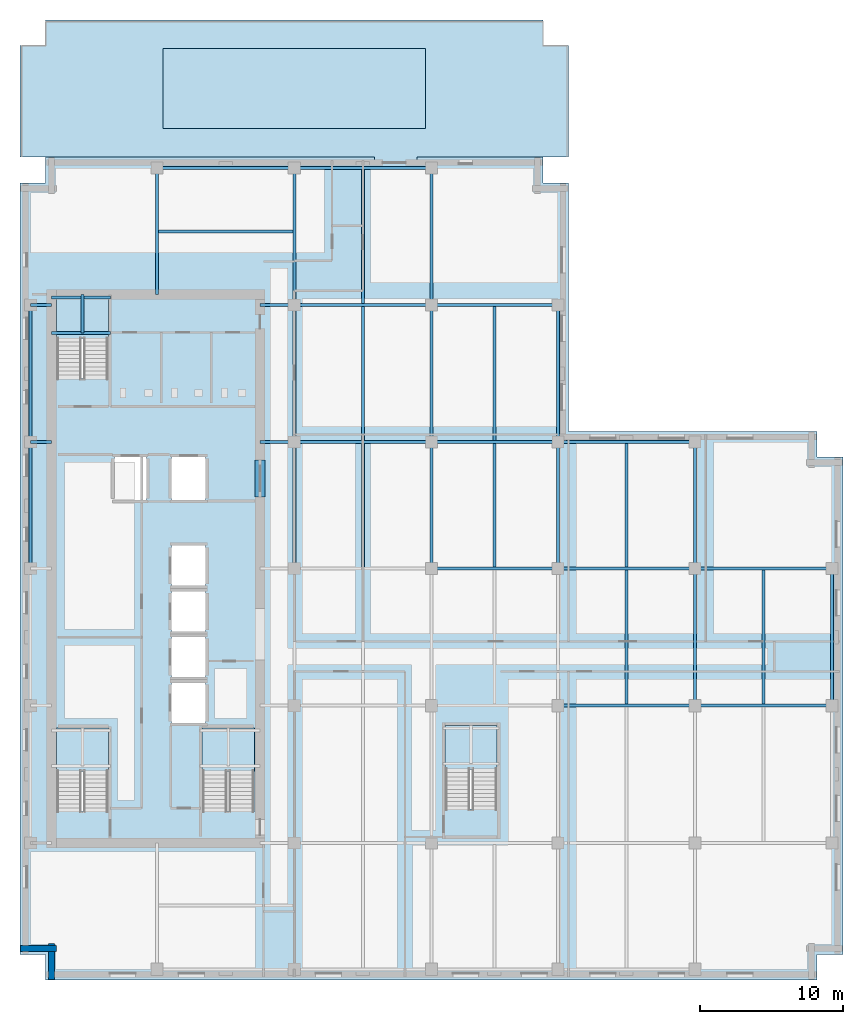
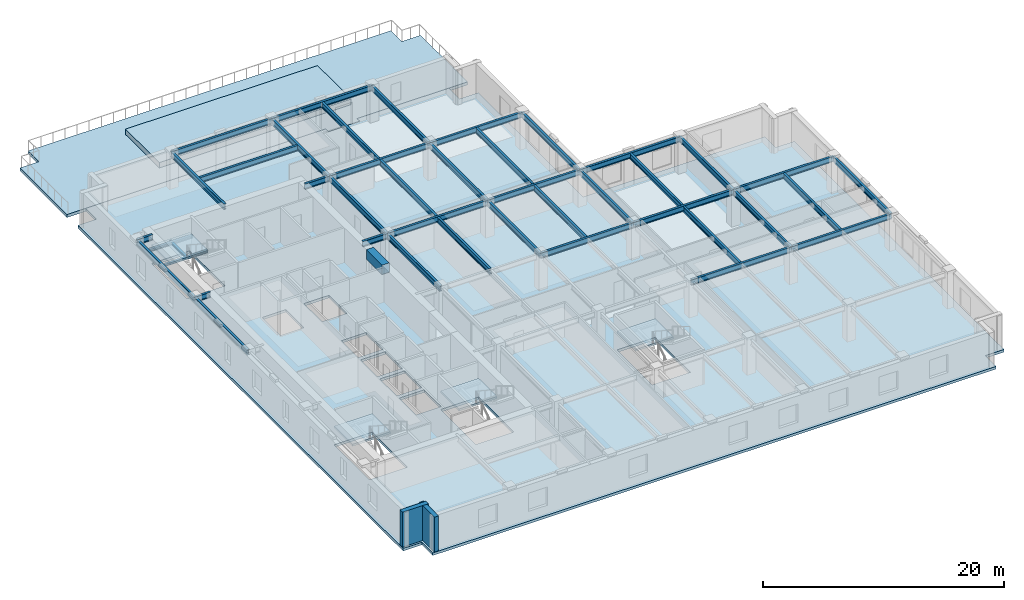
# One storey, part 2 of 12: 43 beams, 7 slabs, 2 walls, 4 elements without a shape of their own.
"""IFC4 building model written with IfcOpenShell, lengths in metres."""

from ifc_helpers import new_model, si_unit, direction, frame, frame_2d, origin, origin_2d, place, context, subcontext, project, spatial, polyline, rectangle, i_section, outline, extrude, material, layer, layer_set, material_profile, profile_set, type_object, element, aggregate, save


model = new_model("IFC4")

# Units and contexts
model_context = context("Model", 3, precision=1e-05, world=origin(), true_north=direction((0.0, 1.0)))
body_context = subcontext(model_context, "Body", "Model", "MODEL_VIEW")
ifc_project = project(units=[si_unit("LENGTHUNIT", "METRE"), si_unit("AREAUNIT", "SQUARE_METRE"), si_unit("VOLUMEUNIT", "CUBIC_METRE"), si_unit("PLANEANGLEUNIT", "RADIAN"), si_unit("MASSUNIT", "GRAM", prefix="KILO")], contexts=[model_context])

# Site, building, storey
site_placement = place(None, origin())
site = spatial("IfcSite", under=ifc_project, at=site_placement, CompositionType="ELEMENT")
building_placement = place(site_placement, origin())
building = spatial("IfcBuilding", under=site, at=building_placement, Name="Norrvale University Quadrangle", CompositionType="ELEMENT")
storey_placement = place(building_placement, frame((0.0, 0.0, 199.0)))
storey = spatial("IfcBuildingStorey", under=building, at=storey_placement, Name="L50", CompositionType="ELEMENT", Elevation=199.0)

# Beams
ifc_material_1 = material(Name="Concrete C80/95", Category="concrete")
ifc_material_profile_1 = material_profile(ifc_material_1, rectangle(XDim=0.699951171875, YDim=0.949951171875, at=origin_2d()), Name="Concrete C80/95")
ifc_profile_set_1 = profile_set([ifc_material_profile_1], Name="Concrete C80/95")
beam_type_1 = type_object("IfcBeamType", Name="Beam Core Link 700x950", PredefinedType="LINTEL", material=ifc_profile_set_1)
beam_1_placement = place(storey_placement, frame((16.800048828125, 33.800048828125, 3.06494140625), z_axis=(0.0, 1.0, 0.0), x_axis=(-1.0, 0.0, 0.0)))
element("IfcBeam", 1, at=beam_1_placement, inside=storey, type_object=beam_type_1, Name="Core Coupling Lintel Beam L50-2", PredefinedType="LINTEL", context=body_context, shape_type="SweptSolid", body=[
    extrude(rectangle(XDim=0.699951171875, YDim=0.949951171875, at=origin_2d()), origin(), (0.0, 0.0, 1.0), 2.599853515625),
])
ifc_material_2 = material(Name="Steel 350W", Category="steel")
ifc_material_profile_2 = material_profile(ifc_material_2, i_section(OverallWidth=0.2119140625, OverallDepth=0.5439453125, WebThickness=0.01318359375, FlangeThickness=0.021240234375, FilletRadius=0.013916015625, at=origin_2d()), Name="Steel 350W")
ifc_profile_set_2 = profile_set([ifc_material_profile_2], Name="Steel 350W")
beam_type_2 = type_object("IfcBeamType", Name="Beam Floor W530x123", PredefinedType="BEAM", material=ifc_profile_set_2)
for number, where, z_axis, x_axis, name in (
    (2, (37.64990234375, 19.199951171875, 3.26806640625), (1.0, 0.0, 0.0), (0.0, 1.0, 0.0), "Beam Floor W530x123 BM-L50-GX011"),
    (3, (47.25, 19.199951171875, 3.26806640625), (1.0, 0.0, 0.0), (0.0, 1.0, 0.0), "Beam Floor W530x123 BM-L50-GX012"),
):
    element("IfcBeam", number, at=place(storey_placement, frame(where, z_axis=z_axis, x_axis=x_axis)), inside=storey, type_object=beam_type_2, Name=name, PredefinedType="BEAM", context=body_context, shape_type="SweptSolid", body=[
        extrude(i_section(OverallWidth=0.2119140625, OverallDepth=0.5439453125, WebThickness=0.01318359375, FlangeThickness=0.021240234375, FilletRadius=0.013916015625, at=origin_2d()), origin(), (0.0, 0.0, 1.0), 9.60009765625),
    ])
beam_2_placement = place(storey_placement, frame((28.800048828125, 28.800048828125, 3.26806640625), z_axis=(1.0, 0.0, 0.0), x_axis=(0.0, 1.0, 0.0)))
element("IfcBeam", 4, at=beam_2_placement, inside=storey, type_object=beam_type_2, Name="Beam Floor W530x123 BM-L50-GX014", PredefinedType="BEAM", context=body_context, shape_type="SweptSolid", body=[
    extrude(i_section(OverallWidth=0.2119140625, OverallDepth=0.5439453125, WebThickness=0.01318359375, FlangeThickness=0.021240234375, FilletRadius=0.013916015625, at=origin_2d()), origin(), (0.0, 0.0, 1.0), 8.849853515625),
])
for number, where, z_axis, x_axis, name in (
    (5, (37.64990234375, 28.800048828125, 3.26806640625), (1.0, 0.0, 0.0), (0.0, 1.0, 0.0), "Beam Floor W530x123 BM-L50-GX015"),
    (6, (47.25, 28.800048828125, 3.26806640625), (1.0, 0.0, 0.0), (0.0, 1.0, 0.0), "Beam Floor W530x123 BM-L50-GX016"),
    (7, (19.199951171875, 37.64990234375, 3.26806640625), (1.0, 0.0, 0.0), (0.0, 1.0, 0.0), "Beam Floor W530x123 BM-L50-GX017"),
):
    element("IfcBeam", number, at=place(storey_placement, frame(where, z_axis=z_axis, x_axis=x_axis)), inside=storey, type_object=beam_type_2, Name=name, PredefinedType="BEAM", context=body_context, shape_type="SweptSolid", body=[
        extrude(i_section(OverallWidth=0.2119140625, OverallDepth=0.5439453125, WebThickness=0.01318359375, FlangeThickness=0.021240234375, FilletRadius=0.013916015625, at=origin_2d()), origin(), (0.0, 0.0, 1.0), 9.60009765625),
    ])
beam_3_placement = place(storey_placement, frame((28.800048828125, 37.64990234375, 3.26806640625), z_axis=(1.0, 0.0, 0.0), x_axis=(0.0, 1.0, 0.0)))
element("IfcBeam", 8, at=beam_3_placement, inside=storey, type_object=beam_type_2, Name="Beam Floor W530x123 BM-L50-GX018", PredefinedType="BEAM", context=body_context, shape_type="SweptSolid", body=[
    extrude(i_section(OverallWidth=0.2119140625, OverallDepth=0.5439453125, WebThickness=0.01318359375, FlangeThickness=0.021240234375, FilletRadius=0.013916015625, at=origin_2d()), origin(), (0.0, 0.0, 1.0), 8.849853515625),
])
for number, where, z_axis, x_axis, name in (
    (9, (37.64990234375, 37.64990234375, 3.26806640625), (1.0, 0.0, 0.0), (0.0, 1.0, 0.0), "Beam Floor W530x123 BM-L50-GX019"),
    (10, (19.199951171875, 47.25, 3.26806640625), (1.0, 0.0, 0.0), (0.0, 1.0, 0.0), "Beam Floor W530x123 BM-L50-GX020"),
):
    element("IfcBeam", number, at=place(storey_placement, frame(where, z_axis=z_axis, x_axis=x_axis)), inside=storey, type_object=beam_type_2, Name=name, PredefinedType="BEAM", context=body_context, shape_type="SweptSolid", body=[
        extrude(i_section(OverallWidth=0.2119140625, OverallDepth=0.5439453125, WebThickness=0.01318359375, FlangeThickness=0.021240234375, FilletRadius=0.013916015625, at=origin_2d()), origin(), (0.0, 0.0, 1.0), 9.60009765625),
    ])
beam_4_placement = place(storey_placement, frame((28.800048828125, 47.25, 3.26806640625), z_axis=(1.0, 0.0, 0.0), x_axis=(0.0, 1.0, 0.0)))
element("IfcBeam", 11, at=beam_4_placement, inside=storey, type_object=beam_type_2, Name="Beam Floor W530x123 BM-L50-GX021", PredefinedType="BEAM", context=body_context, shape_type="SweptSolid", body=[
    extrude(i_section(OverallWidth=0.2119140625, OverallDepth=0.5439453125, WebThickness=0.01318359375, FlangeThickness=0.021240234375, FilletRadius=0.013916015625, at=origin_2d()), origin(), (0.0, 0.0, 1.0), 8.849853515625),
])
beam_5_placement = place(storey_placement, frame((9.60009765625, 56.85009765625, 3.26806640625), z_axis=(1.0, 0.0, 0.0), x_axis=(0.0, 1.0, 0.0)))
element("IfcBeam", 12, at=beam_5_placement, inside=storey, type_object=beam_type_2, Name="Beam Floor W530x123 BM-L50-GX022", PredefinedType="BEAM", context=body_context, shape_type="SweptSolid", body=[
    extrude(i_section(OverallWidth=0.2119140625, OverallDepth=0.5439453125, WebThickness=0.01318359375, FlangeThickness=0.021240234375, FilletRadius=0.013916015625, at=origin_2d()), origin(), (0.0, 0.0, 1.0), 9.599853515625),
])
beam_6_placement = place(storey_placement, frame((19.199951171875, 56.85009765625, 3.26806640625), z_axis=(1.0, 0.0, 0.0), x_axis=(0.0, 1.0, 0.0)))
element("IfcBeam", 13, at=beam_6_placement, inside=storey, type_object=beam_type_2, Name="Beam Floor W530x123 BM-L50-GX023", PredefinedType="BEAM", context=body_context, shape_type="SweptSolid", body=[
    extrude(i_section(OverallWidth=0.2119140625, OverallDepth=0.5439453125, WebThickness=0.01318359375, FlangeThickness=0.021240234375, FilletRadius=0.013916015625, at=origin_2d()), origin(), (0.0, 0.0, 1.0), 9.60009765625),
])
beam_7_placement = place(storey_placement, frame((0.75, 28.800048828125, 3.26806640625), z_axis=(0.0, 1.0, 0.0), x_axis=(-1.0, 0.0, 0.0)))
element("IfcBeam", 14, at=beam_7_placement, inside=storey, type_object=beam_type_2, Name="Beam Floor W530x123 BM-L50-GY026", PredefinedType="BEAM", context=body_context, shape_type="SweptSolid", body=[
    extrude(i_section(OverallWidth=0.2119140625, OverallDepth=0.5439453125, WebThickness=0.01318359375, FlangeThickness=0.021240234375, FilletRadius=0.013916015625, at=origin_2d()), origin(), (0.0, 0.0, 1.0), 8.849853515625),
])
beam_8_placement = place(storey_placement, frame((0.75, 37.64990234375, 3.26806640625), z_axis=(0.0, 1.0, 0.0), x_axis=(-1.0, 0.0, 0.0)))
element("IfcBeam", 15, at=beam_8_placement, inside=storey, type_object=beam_type_2, Name="Beam Floor W530x123 BM-L50-GY027", PredefinedType="BEAM", context=body_context, shape_type="SweptSolid", body=[
    extrude(i_section(OverallWidth=0.2119140625, OverallDepth=0.5439453125, WebThickness=0.01318359375, FlangeThickness=0.021240234375, FilletRadius=0.013916015625, at=origin_2d()), origin(), (0.0, 0.0, 1.0), 9.60009765625),
])
beam_9_placement = place(storey_placement, frame((19.199951171875, 28.800048828125, 3.26806640625), z_axis=(0.0, 1.0, 0.0), x_axis=(-1.0, 0.0, 0.0)))
element("IfcBeam", 16, at=beam_9_placement, inside=storey, type_object=beam_type_2, Name="Beam Floor W530x123 BM-L50-GY031", PredefinedType="BEAM", context=body_context, shape_type="SweptSolid", body=[
    extrude(i_section(OverallWidth=0.2119140625, OverallDepth=0.5439453125, WebThickness=0.01318359375, FlangeThickness=0.021240234375, FilletRadius=0.013916015625, at=origin_2d()), origin(), (0.0, 0.0, 1.0), 8.849853515625),
])
for number, where, z_axis, x_axis, name in (
    (17, (19.199951171875, 37.64990234375, 3.26806640625), (0.0, 1.0, 0.0), (-1.0, 0.0, 0.0), "Beam Floor W530x123 BM-L50-GY032"),
    (18, (19.199951171875, 47.25, 3.26806640625), (0.0, 1.0, 0.0), (-1.0, 0.0, 0.0), "Beam Floor W530x123 BM-L50-GY033"),
):
    element("IfcBeam", number, at=place(storey_placement, frame(where, z_axis=z_axis, x_axis=x_axis)), inside=storey, type_object=beam_type_2, Name=name, PredefinedType="BEAM", context=body_context, shape_type="SweptSolid", body=[
        extrude(i_section(OverallWidth=0.2119140625, OverallDepth=0.5439453125, WebThickness=0.01318359375, FlangeThickness=0.021240234375, FilletRadius=0.013916015625, at=origin_2d()), origin(), (0.0, 0.0, 1.0), 9.60009765625),
    ])
beam_10_placement = place(storey_placement, frame((28.800048828125, 28.800048828125, 3.26806640625), z_axis=(0.0, 1.0, 0.0), x_axis=(-1.0, 0.0, 0.0)))
element("IfcBeam", 19, at=beam_10_placement, inside=storey, type_object=beam_type_2, Name="Beam Floor W530x123 BM-L50-GY037", PredefinedType="BEAM", context=body_context, shape_type="SweptSolid", body=[
    extrude(i_section(OverallWidth=0.2119140625, OverallDepth=0.5439453125, WebThickness=0.01318359375, FlangeThickness=0.021240234375, FilletRadius=0.013916015625, at=origin_2d()), origin(), (0.0, 0.0, 1.0), 8.849853515625),
])
for number, where, z_axis, x_axis, name in (
    (20, (28.800048828125, 37.64990234375, 3.26806640625), (0.0, 1.0, 0.0), (-1.0, 0.0, 0.0), "Beam Floor W530x123 BM-L50-GY038"),
    (21, (28.800048828125, 47.25, 3.26806640625), (0.0, 1.0, 0.0), (-1.0, 0.0, 0.0), "Beam Floor W530x123 BM-L50-GY039"),
):
    element("IfcBeam", number, at=place(storey_placement, frame(where, z_axis=z_axis, x_axis=x_axis)), inside=storey, type_object=beam_type_2, Name=name, PredefinedType="BEAM", context=body_context, shape_type="SweptSolid", body=[
        extrude(i_section(OverallWidth=0.2119140625, OverallDepth=0.5439453125, WebThickness=0.01318359375, FlangeThickness=0.021240234375, FilletRadius=0.013916015625, at=origin_2d()), origin(), (0.0, 0.0, 1.0), 9.60009765625),
    ])
beam_11_placement = place(storey_placement, frame((37.64990234375, 28.800048828125, 3.26806640625), z_axis=(0.0, 1.0, 0.0), x_axis=(-1.0, 0.0, 0.0)))
element("IfcBeam", 22, at=beam_11_placement, inside=storey, type_object=beam_type_2, Name="Beam Floor W530x123 BM-L50-GY043", PredefinedType="BEAM", context=body_context, shape_type="SweptSolid", body=[
    extrude(i_section(OverallWidth=0.2119140625, OverallDepth=0.5439453125, WebThickness=0.01318359375, FlangeThickness=0.021240234375, FilletRadius=0.013916015625, at=origin_2d()), origin(), (0.0, 0.0, 1.0), 8.849853515625),
])
for number, where, z_axis, x_axis, name in (
    (23, (37.64990234375, 37.64990234375, 3.26806640625), (0.0, 1.0, 0.0), (-1.0, 0.0, 0.0), "Beam Floor W530x123 BM-L50-GY044"),
    (24, (47.25, 19.199951171875, 3.26806640625), (0.0, 1.0, 0.0), (-1.0, 0.0, 0.0), "Beam Floor W530x123 BM-L50-GY047"),
):
    element("IfcBeam", number, at=place(storey_placement, frame(where, z_axis=z_axis, x_axis=x_axis)), inside=storey, type_object=beam_type_2, Name=name, PredefinedType="BEAM", context=body_context, shape_type="SweptSolid", body=[
        extrude(i_section(OverallWidth=0.2119140625, OverallDepth=0.5439453125, WebThickness=0.01318359375, FlangeThickness=0.021240234375, FilletRadius=0.013916015625, at=origin_2d()), origin(), (0.0, 0.0, 1.0), 9.60009765625),
    ])
beam_12_placement = place(storey_placement, frame((47.25, 28.800048828125, 3.26806640625), z_axis=(0.0, 1.0, 0.0), x_axis=(-1.0, 0.0, 0.0)))
element("IfcBeam", 25, at=beam_12_placement, inside=storey, type_object=beam_type_2, Name="Beam Floor W530x123 BM-L50-GY048", PredefinedType="BEAM", context=body_context, shape_type="SweptSolid", body=[
    extrude(i_section(OverallWidth=0.2119140625, OverallDepth=0.5439453125, WebThickness=0.01318359375, FlangeThickness=0.021240234375, FilletRadius=0.013916015625, at=origin_2d()), origin(), (0.0, 0.0, 1.0), 8.849853515625),
])
beam_13_placement = place(storey_placement, frame((56.85009765625, 19.199951171875, 3.26806640625), z_axis=(0.0, 1.0, 0.0), x_axis=(-1.0, 0.0, 0.0)))
element("IfcBeam", 26, at=beam_13_placement, inside=storey, type_object=beam_type_2, Name="Beam Floor W530x123 BM-L50-GY050", PredefinedType="BEAM", context=body_context, shape_type="SweptSolid", body=[
    extrude(i_section(OverallWidth=0.2119140625, OverallDepth=0.5439453125, WebThickness=0.01318359375, FlangeThickness=0.021240234375, FilletRadius=0.013916015625, at=origin_2d()), origin(), (0.0, 0.0, 1.0), 9.60009765625),
])
beam_14_placement = place(storey_placement, frame((0.75, 37.64990234375, 3.26806640625), z_axis=(1.0, 0.0, 0.0), x_axis=(0.0, 1.0, 0.0)))
element("IfcBeam", 27, at=beam_14_placement, inside=storey, type_object=beam_type_2, Name="Beam Floor W530x123 BM-L50-GCW057", PredefinedType="BEAM", context=body_context, shape_type="SweptSolid", body=[
    extrude(i_section(OverallWidth=0.2119140625, OverallDepth=0.5439453125, WebThickness=0.01318359375, FlangeThickness=0.021240234375, FilletRadius=0.013916015625, at=origin_2d()), origin(), (0.0, 0.0, 1.0), 1.449951171875),
])
beam_15_placement = place(storey_placement, frame((16.800048828125, 37.64990234375, 3.26806640625), z_axis=(1.0, 0.0, 0.0), x_axis=(0.0, 1.0, 0.0)))
element("IfcBeam", 28, at=beam_15_placement, inside=storey, type_object=beam_type_2, Name="Beam Floor W530x123 BM-L50-GCE058", PredefinedType="BEAM", context=body_context, shape_type="SweptSolid", body=[
    extrude(i_section(OverallWidth=0.2119140625, OverallDepth=0.5439453125, WebThickness=0.01318359375, FlangeThickness=0.021240234375, FilletRadius=0.013916015625, at=origin_2d()), origin(), (0.0, 0.0, 1.0), 2.39990234375),
])
beam_16_placement = place(storey_placement, frame((0.75, 47.25, 3.26806640625), z_axis=(1.0, 0.0, 0.0), x_axis=(0.0, 1.0, 0.0)))
element("IfcBeam", 29, at=beam_16_placement, inside=storey, type_object=beam_type_2, Name="Beam Floor W530x123 BM-L50-GCW059", PredefinedType="BEAM", context=body_context, shape_type="SweptSolid", body=[
    extrude(i_section(OverallWidth=0.2119140625, OverallDepth=0.5439453125, WebThickness=0.01318359375, FlangeThickness=0.021240234375, FilletRadius=0.013916015625, at=origin_2d()), origin(), (0.0, 0.0, 1.0), 1.449951171875),
])
beam_17_placement = place(storey_placement, frame((16.800048828125, 47.25, 3.26806640625), z_axis=(1.0, 0.0, 0.0), x_axis=(0.0, 1.0, 0.0)))
element("IfcBeam", 30, at=beam_17_placement, inside=storey, type_object=beam_type_2, Name="Beam Floor W530x123 BM-L50-GCE060", PredefinedType="BEAM", context=body_context, shape_type="SweptSolid", body=[
    extrude(i_section(OverallWidth=0.2119140625, OverallDepth=0.5439453125, WebThickness=0.01318359375, FlangeThickness=0.021240234375, FilletRadius=0.013916015625, at=origin_2d()), origin(), (0.0, 0.0, 1.0), 2.39990234375),
])
beam_18_placement = place(storey_placement, frame((9.60009765625, 48.0, 3.26806640625), z_axis=(0.0, 1.0, 0.0), x_axis=(-1.0, 0.0, 0.0)))
element("IfcBeam", 31, at=beam_18_placement, inside=storey, type_object=beam_type_2, Name="Beam Floor W530x123 BM-L50-GCN079", PredefinedType="BEAM", context=body_context, shape_type="SweptSolid", body=[
    extrude(i_section(OverallWidth=0.2119140625, OverallDepth=0.5439453125, WebThickness=0.01318359375, FlangeThickness=0.021240234375, FilletRadius=0.013916015625, at=origin_2d()), origin(), (0.0, 0.0, 1.0), 8.85009765625),
])
ifc_material_profile_3 = material_profile(ifc_material_2, i_section(OverallWidth=0.208984375, OverallDepth=0.532958984375, WebThickness=0.01025390625, FlangeThickness=0.015625, FilletRadius=0.013916015625, at=origin_2d()), Name="Steel 350W")
ifc_profile_set_3 = profile_set([ifc_material_profile_3], Name="Steel 350W")
beam_type_3 = type_object("IfcBeamType", Name="Beam Floor W530x92", PredefinedType="JOIST", material=ifc_profile_set_3)
beam_19_placement = place(storey_placement, frame((24.0, 28.906005859375, 3.2734375), z_axis=(0.0, 1.0, 0.0), x_axis=(-1.0, 0.0, 0.0)))
element("IfcBeam", 32, at=beam_19_placement, inside=storey, type_object=beam_type_3, Name="Beam Floor W530x92 BM-L50-J064", PredefinedType="JOIST", context=body_context, shape_type="SweptSolid", body=[
    extrude(i_section(OverallWidth=0.208984375, OverallDepth=0.532958984375, WebThickness=0.01025390625, FlangeThickness=0.015625, FilletRadius=0.013916015625, at=origin_2d()), origin(), (0.0, 0.0, 1.0), 8.637939453125),
])
for number, where, z_axis, x_axis, name in (
    (33, (24.0, 37.756103515625, 3.2734375), (0.0, 1.0, 0.0), (-1.0, 0.0, 0.0), "Beam Floor W530x92 BM-L50-J065"),
    (34, (24.0, 47.35595703125, 3.2734375), (0.0, 1.0, 0.0), (-1.0, 0.0, 0.0), "Beam Floor W530x92 BM-L50-J066"),
):
    element("IfcBeam", number, at=place(storey_placement, frame(where, z_axis=z_axis, x_axis=x_axis)), inside=storey, type_object=beam_type_3, Name=name, PredefinedType="JOIST", context=body_context, shape_type="SweptSolid", body=[
        extrude(i_section(OverallWidth=0.208984375, OverallDepth=0.532958984375, WebThickness=0.01025390625, FlangeThickness=0.015625, FilletRadius=0.013916015625, at=origin_2d()), origin(), (0.0, 0.0, 1.0), 9.387939453125),
    ])
beam_20_placement = place(storey_placement, frame((33.22509765625, 28.906005859375, 3.2734375), z_axis=(0.0, 1.0, 0.0), x_axis=(-1.0, 0.0, 0.0)))
element("IfcBeam", 35, at=beam_20_placement, inside=storey, type_object=beam_type_3, Name="Beam Floor W530x92 BM-L50-J069", PredefinedType="JOIST", context=body_context, shape_type="SweptSolid", body=[
    extrude(i_section(OverallWidth=0.208984375, OverallDepth=0.532958984375, WebThickness=0.01025390625, FlangeThickness=0.015625, FilletRadius=0.013916015625, at=origin_2d()), origin(), (0.0, 0.0, 1.0), 8.637939453125),
])
beam_21_placement = place(storey_placement, frame((33.22509765625, 37.756103515625, 3.2734375), z_axis=(0.0, 1.0, 0.0), x_axis=(-1.0, 0.0, 0.0)))
element("IfcBeam", 36, at=beam_21_placement, inside=storey, type_object=beam_type_3, Name="Beam Floor W530x92 BM-L50-J070", PredefinedType="JOIST", context=body_context, shape_type="SweptSolid", body=[
    extrude(i_section(OverallWidth=0.208984375, OverallDepth=0.532958984375, WebThickness=0.01025390625, FlangeThickness=0.015625, FilletRadius=0.013916015625, at=origin_2d()), origin(), (0.0, 0.0, 1.0), 9.387939453125),
])
beam_22_placement = place(storey_placement, frame((42.449951171875, 19.305908203125, 3.2734375), z_axis=(0.0, 1.0, 0.0), x_axis=(-1.0, 0.0, 0.0)))
element("IfcBeam", 37, at=beam_22_placement, inside=storey, type_object=beam_type_3, Name="Beam Floor W530x92 BM-L50-J073", PredefinedType="JOIST", context=body_context, shape_type="SweptSolid", body=[
    extrude(i_section(OverallWidth=0.208984375, OverallDepth=0.532958984375, WebThickness=0.01025390625, FlangeThickness=0.015625, FilletRadius=0.013916015625, at=origin_2d()), origin(), (0.0, 0.0, 1.0), 9.38818359375),
])
beam_23_placement = place(storey_placement, frame((42.449951171875, 28.906005859375, 3.2734375), z_axis=(0.0, 1.0, 0.0), x_axis=(-1.0, 0.0, 0.0)))
element("IfcBeam", 38, at=beam_23_placement, inside=storey, type_object=beam_type_3, Name="Beam Floor W530x92 BM-L50-J074", PredefinedType="JOIST", context=body_context, shape_type="SweptSolid", body=[
    extrude(i_section(OverallWidth=0.208984375, OverallDepth=0.532958984375, WebThickness=0.01025390625, FlangeThickness=0.015625, FilletRadius=0.013916015625, at=origin_2d()), origin(), (0.0, 0.0, 1.0), 8.637939453125),
])
beam_24_placement = place(storey_placement, frame((52.050048828125, 19.305908203125, 3.2734375), z_axis=(0.0, 1.0, 0.0), x_axis=(-1.0, 0.0, 0.0)))
element("IfcBeam", 39, at=beam_24_placement, inside=storey, type_object=beam_type_3, Name="Beam Floor W530x92 BM-L50-J076", PredefinedType="JOIST", context=body_context, shape_type="SweptSolid", body=[
    extrude(i_section(OverallWidth=0.208984375, OverallDepth=0.532958984375, WebThickness=0.01025390625, FlangeThickness=0.015625, FilletRadius=0.013916015625, at=origin_2d()), origin(), (0.0, 0.0, 1.0), 9.38818359375),
])
beam_25_placement = place(storey_placement, frame((9.7060546875, 52.39990234375, 3.2734375), z_axis=(1.0, 0.0, 0.0), x_axis=(0.0, 1.0, 0.0)))
element("IfcBeam", 40, at=beam_25_placement, inside=storey, type_object=beam_type_3, Name="Beam Floor W530x92 BM-L50-JCN080", PredefinedType="JOIST", context=body_context, shape_type="SweptSolid", body=[
    extrude(i_section(OverallWidth=0.208984375, OverallDepth=0.532958984375, WebThickness=0.01025390625, FlangeThickness=0.015625, FilletRadius=0.013916015625, at=origin_2d()), origin(), (0.0, 0.0, 1.0), 9.387939453125),
])
ifc_material_profile_4 = material_profile(ifc_material_2, i_section(OverallWidth=0.201904296875, OverallDepth=0.2470703125, WebThickness=0.00732421875, FlangeThickness=0.010986328125, FilletRadius=0.011962890625, at=origin_2d()), Name="Steel 350W")
ifc_profile_set_4 = profile_set([ifc_material_profile_4], Name="Steel 350W")
beam_type_4 = type_object("IfcBeamType", Name="Beam Stair W250x49", PredefinedType="BEAM", material=ifc_profile_set_4)
for number, where, z_axis, x_axis, name in (
    (41, (2.199951171875, 45.2900390625, 1.576416015625), (1.0, 0.0, 0.0), (0.0, 1.0, 0.0), "Stair Mid-Landing Front Beam ST-02 L50"),
    (42, (2.199951171875, 47.77001953125, 1.576416015625), (1.0, 0.0, 0.0), (0.0, 1.0, 0.0), "Stair Mid-Landing Rear Beam ST-02 L50"),
):
    element("IfcBeam", number, at=place(storey_placement, frame(where, z_axis=z_axis, x_axis=x_axis)), inside=storey, type_object=beam_type_4, Name=name, PredefinedType="BEAM", context=body_context, shape_type="SweptSolid", body=[
        extrude(i_section(OverallWidth=0.201904296875, OverallDepth=0.2470703125, WebThickness=0.00732421875, FlangeThickness=0.010986328125, FilletRadius=0.011962890625, at=origin_2d()), origin(), (0.0, 0.0, 1.0), 4.14013671875),
    ])
ifc_material_profile_5 = material_profile(ifc_material_2, i_section(OverallWidth=0.202880859375, OverallDepth=0.202880859375, WebThickness=0.007080078125, FlangeThickness=0.010986328125, FilletRadius=0.010009765625, at=origin_2d()), Name="Steel 350W")
ifc_profile_set_5 = profile_set([ifc_material_profile_5], Name="Steel 350W")
beam_type_5 = type_object("IfcBeamType", Name="Beam Trim W200x46", PredefinedType="BEAM", material=ifc_profile_set_5)
beam_26_placement = place(storey_placement, frame((4.375, 45.2900390625, 1.598388671875), z_axis=(0.0, 1.0, 0.0), x_axis=(-1.0, 0.0, 0.0)))
element("IfcBeam", 43, at=beam_26_placement, inside=storey, type_object=beam_type_5, Name="Stair Mid-Landing Cross Beam ST-02 L50", PredefinedType="BEAM", context=body_context, shape_type="SweptSolid", body=[
    extrude(i_section(OverallWidth=0.202880859375, OverallDepth=0.202880859375, WebThickness=0.007080078125, FlangeThickness=0.010986328125, FilletRadius=0.010009765625, at=origin_2d()), origin(), (0.0, 0.0, 1.0), 2.7099609375),
])

# Stair, slab
ifc_material_3 = material(Name="Concrete C40/50", Category="concrete")
stair_type = type_object("IfcStairType", Name="Stair Tower Typ 3800", PredefinedType="TWO_STRAIGHT_RUN_STAIR", material=ifc_material_3)
stair_1_placement = place(storey_placement, origin())
stair_1 = element("IfcStair", 44, at=stair_1_placement, inside=storey, type_object=stair_type, Name="Exit Stair ST-01 L50", PredefinedType="TWO_STRAIGHT_RUN_STAIR")
ifc_layer_1 = layer(ifc_material_3, 0.199951171875, Name="Concrete C40/50")
ifc_layer_set_1 = layer_set([ifc_layer_1], Name="Concrete C40/50")
slab_type_1 = type_object("IfcSlabType", Name="Slab Landing 200", PredefinedType="LANDING", material=ifc_layer_set_1)
slab_1_placement = place(storey_placement, frame((0.0, 0.0, 1.699951171875)))
slab_1 = element("IfcSlab", 45, at=slab_1_placement, type_object=slab_type_1, Name="Exit Stair ST-01 L50 Mid Landing", PredefinedType="LANDING", context=body_context, shape_type="SweptSolid", body=[
    extrude(outline(polyline([(2.550048828125, 14.590087890625), (6.199951171875, 14.590087890625), (6.199951171875, 17.64990234375), (2.550048828125, 17.64990234375), (2.550048828125, 14.590087890625)])), origin(), (0.0, 0.0, 1.0), 0.199951171875),
])
aggregate(stair_1, [slab_1])

stair_2_placement = place(storey_placement, origin())
stair_2 = element("IfcStair", 46, at=stair_2_placement, inside=storey, type_object=stair_type, Name="Exit Stair ST-02 L50", PredefinedType="TWO_STRAIGHT_RUN_STAIR")
slab_2_placement = place(storey_placement, frame((0.0, 0.0, 1.699951171875)))
slab_2 = element("IfcSlab", 47, at=slab_2_placement, type_object=slab_type_1, Name="Exit Stair ST-02 L50 Mid Landing", PredefinedType="LANDING", context=body_context, shape_type="SweptSolid", body=[
    extrude(outline(polyline([(2.550048828125, 44.889892578125), (6.199951171875, 44.889892578125), (6.199951171875, 47.949951171875), (2.550048828125, 47.949951171875), (2.550048828125, 44.889892578125)])), origin(), (0.0, 0.0, 1.0), 0.199951171875),
])
aggregate(stair_2, [slab_2])

stair_3_placement = place(storey_placement, origin())
stair_3 = element("IfcStair", 48, at=stair_3_placement, inside=storey, type_object=stair_type, Name="Exit Stair ST-03 L50", PredefinedType="TWO_STRAIGHT_RUN_STAIR")
slab_3_placement = place(storey_placement, frame((0.0, 0.0, 1.699951171875)))
slab_3 = element("IfcSlab", 49, at=slab_3_placement, type_object=slab_type_1, Name="Exit Stair ST-03 L50 Mid Landing", PredefinedType="LANDING", context=body_context, shape_type="SweptSolid", body=[
    extrude(outline(polyline([(12.75, 14.590087890625), (16.39990234375, 14.590087890625), (16.39990234375, 17.64990234375), (12.75, 17.64990234375), (12.75, 14.590087890625)])), origin(), (0.0, 0.0, 1.0), 0.199951171875),
])
aggregate(stair_3, [slab_3])

stair_4_placement = place(storey_placement, origin())
stair_4 = element("IfcStair", 50, at=stair_4_placement, inside=storey, type_object=stair_type, Name="Exit Stair ST-04 L50", PredefinedType="TWO_STRAIGHT_RUN_STAIR")
slab_4_placement = place(storey_placement, frame((0.0, 0.0, 1.699951171875)))
slab_4 = element("IfcSlab", 51, at=slab_4_placement, type_object=slab_type_1, Name="Exit Stair ST-04 L50 Mid Landing", PredefinedType="LANDING", context=body_context, shape_type="SweptSolid", body=[
    extrude(outline(polyline([(29.75, 14.739990234375), (33.39990234375, 14.739990234375), (33.39990234375, 17.800048828125), (29.75, 17.800048828125), (29.75, 14.739990234375)])), origin(), (0.0, 0.0, 1.0), 0.199951171875),
])
aggregate(stair_4, [slab_4])

# Slabs
ifc_material_4 = material(Name="Planted Soil Growing Medium")
ifc_layer_2 = layer(ifc_material_4, 0.570068359375, Name="Planted Soil Growing Medium")
ifc_layer_set_2 = layer_set([ifc_layer_2], Name="Planted Soil Growing Medium")
slab_type_2 = type_object("IfcSlabType", Name="Slab Planter Soil 550", PredefinedType="USERDEFINED", material=ifc_layer_set_2)
slab_5_placement = place(storey_placement, frame((0.0, 0.0, -0.02001953125)))
element("IfcSlab", 52, at=slab_5_placement, inside=storey, type_object=slab_type_2, Name="Terrace Planted Soil Bed L50-N", ObjectType="PLANTER", PredefinedType="USERDEFINED", context=body_context, shape_type="SweptSolid", body=[
    extrude(outline(polyline([(10.0, 59.60009765625), (28.39990234375, 59.60009765625), (28.39990234375, 65.199951171875), (10.0, 65.199951171875), (10.0, 59.60009765625)])), origin(), (0.0, 0.0, 1.0), 0.570068359375),
])
ifc_material_5 = material(Name="Concrete C50/60", Category="concrete")
ifc_layer_3 = layer(ifc_material_5, 0.300048828125, Name="Concrete C50/60")
ifc_layer_set_3 = layer_set([ifc_layer_3], Name="Concrete C50/60")
slab_type_3 = type_object("IfcSlabType", Name="Slab Sky Garden 300", PredefinedType="ROOF", material=ifc_layer_set_3)
slab_6_placement = place(storey_placement, frame((0.0, 0.0, -0.300048828125)))
element("IfcSlab", 53, at=slab_6_placement, inside=storey, type_object=slab_type_3, Name="Stepped Roof Terrace Slab L50-N", PredefinedType="ROOF", context=body_context, shape_type="SweptSolid", body=[
    extrude(outline(polyline([(0.0, 57.60009765625), (24.800048828125, 57.60009765625), (24.800048828125, 57.14990234375), (27.800048828125, 57.14990234375), (27.800048828125, 57.60009765625), (38.39990234375, 57.60009765625), (38.39990234375, 65.39990234375), (36.60009765625, 65.39990234375), (36.60009765625, 67.199951171875), (1.800048828125, 67.199951171875), (1.800048828125, 65.39990234375), (0.0, 65.39990234375), (0.0, 57.60009765625)])), origin(), (0.0, 0.0, 1.0), 0.300048828125),
])
ifc_layer_4 = layer(ifc_material_3, 0.260009765625, Name="Concrete C40/50")
ifc_layer_set_4 = layer_set([ifc_layer_4], Name="Concrete C40/50")
slab_type_4 = type_object("IfcSlabType", Name="Slab Tower Typ 260", PredefinedType="FLOOR", material=ifc_layer_set_4)
slab_7_placement = place(storey_placement, frame((0.0, 0.0, -0.260009765625)))
element("IfcSlab", 54, at=slab_7_placement, inside=storey, type_object=slab_type_4, Name="Tower L50 Floor Slab", PredefinedType="FLOOR", context=body_context, shape_type="SweptSolid", body=[
    extrude(outline(polyline([(36.60009765625, 57.60009765625), (36.60009765625, 55.800048828125), (38.39990234375, 55.800048828125), (38.39990234375, 38.39990234375), (55.800048828125, 38.39990234375), (55.800048828125, 36.60009765625), (57.60009765625, 36.60009765625), (57.60009765625, 1.800048828125), (55.800048828125, 1.800048828125), (55.800048828125, 0.0), (1.800048828125, 0.0), (1.800048828125, 1.800048828125), (0.0, 1.800048828125), (0.0, 55.800048828125), (1.800048828125, 55.800048828125), (1.800048828125, 57.60009765625), (24.800048828125, 57.60009765625), (24.800048828125, 57.14990234375), (27.800048828125, 57.14990234375), (27.800048828125, 57.60009765625), (36.60009765625, 57.60009765625)]), holes=[polyline([(2.550048828125, 11.81005859375), (6.199951171875, 11.81005859375), (6.199951171875, 17.64990234375), (2.550048828125, 17.64990234375), (2.550048828125, 11.81005859375)]), polyline([(2.550048828125, 42.110107421875), (6.199951171875, 42.110107421875), (6.199951171875, 47.949951171875), (2.550048828125, 47.949951171875), (2.550048828125, 42.110107421875)]), polyline([(12.75, 11.81005859375), (16.39990234375, 11.81005859375), (16.39990234375, 17.64990234375), (12.75, 17.64990234375), (12.75, 11.81005859375)]), polyline([(29.75, 11.9599609375), (33.39990234375, 11.9599609375), (33.39990234375, 17.800048828125), (29.75, 17.800048828125), (29.75, 11.9599609375)]), polyline([(10.60009765625, 18.0), (13.0, 18.0), (13.0, 20.800048828125), (10.60009765625, 20.800048828125), (10.60009765625, 18.0)]), polyline([(10.60009765625, 21.199951171875), (13.0, 21.199951171875), (13.0, 24.0), (10.60009765625, 24.0), (10.60009765625, 21.199951171875)]), polyline([(10.60009765625, 24.39990234375), (13.0, 24.39990234375), (13.0, 27.199951171875), (10.60009765625, 27.199951171875), (10.60009765625, 24.39990234375)]), polyline([(10.60009765625, 27.60009765625), (13.0, 27.60009765625), (13.0, 30.39990234375), (10.60009765625, 30.39990234375), (10.60009765625, 27.60009765625)]), polyline([(6.60009765625, 33.60009765625), (8.85009765625, 33.60009765625), (8.85009765625, 36.60009765625), (6.60009765625, 36.60009765625), (6.60009765625, 33.60009765625)]), polyline([(10.60009765625, 33.60009765625), (13.0, 33.60009765625), (13.0, 36.60009765625), (10.60009765625, 36.60009765625), (10.60009765625, 33.60009765625)])]), origin(), (0.0, 0.0, 1.0), 0.260009765625),
])

# Walls
ifc_material_6 = material(Name="Buff Norman Clay Brick Masonry", Category="masonry")
ifc_layer_5 = layer(ifc_material_6, 0.419921875, Name="Buff Norman Clay Brick Masonry")
ifc_layer_set_5 = layer_set([ifc_layer_5], Name="Buff Norman Clay Brick Masonry")
wall_type = type_object("IfcWallType", Name="Wall Buff Brick 420", PredefinedType="SOLIDWALL", material=ifc_layer_set_5)
for number, where, z_axis, x_axis, name in (
    (55, (0.0400390625, 2.18994140625, 0.0), (0.0, 0.0, 1.0), (1.0, 0.0, 0.0), "Exterior Brick Facade Wall L50-15.1"),
    (56, (2.18994140625, 2.5400390625, 0.0), (0.0, 0.0, 1.0), (0.0, -1.0, 0.0), "Exterior Brick Facade Wall L50-16.1"),
):
    element("IfcWall", number, at=place(storey_placement, frame(where, z_axis=z_axis, x_axis=x_axis)), inside=storey, type_object=wall_type, Name=name, PredefinedType="SOLIDWALL", context=body_context, shape_type="SweptSolid", body=[
        extrude(rectangle(XDim=2.5, YDim=0.419921875, at=frame_2d((1.25, 0.0))), origin(), (0.0, 0.0, 1.0), 3.5400390625),
    ])

save(model, "model.ifc")
